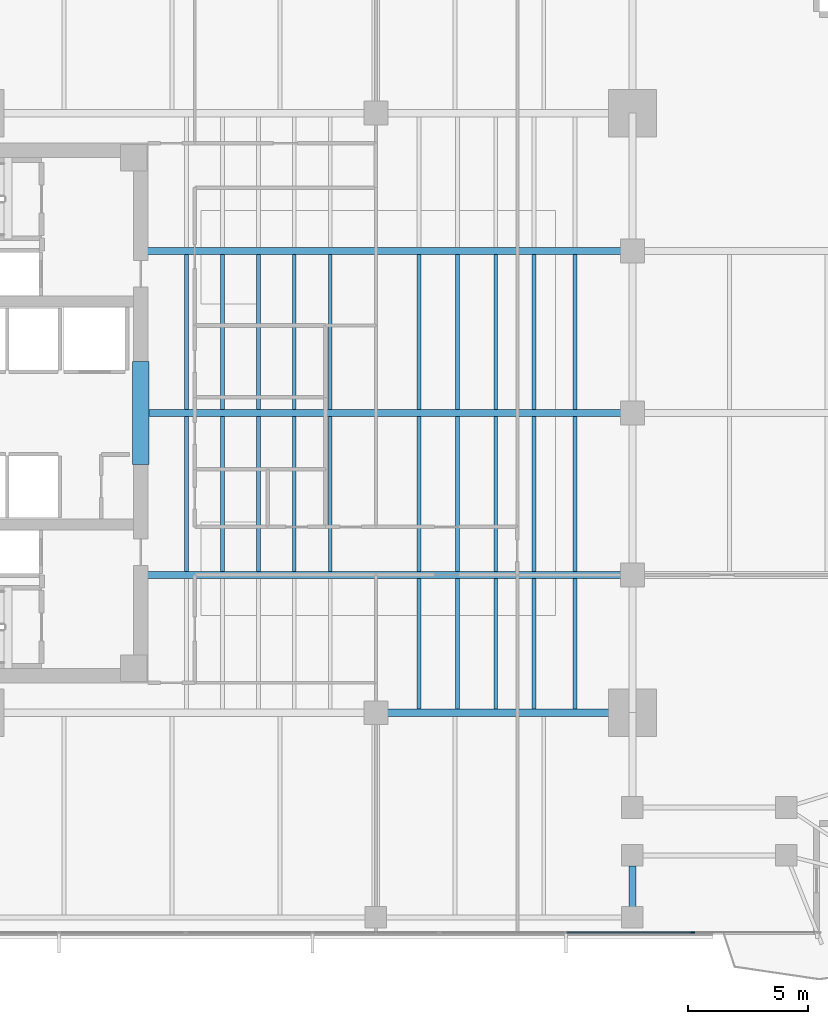
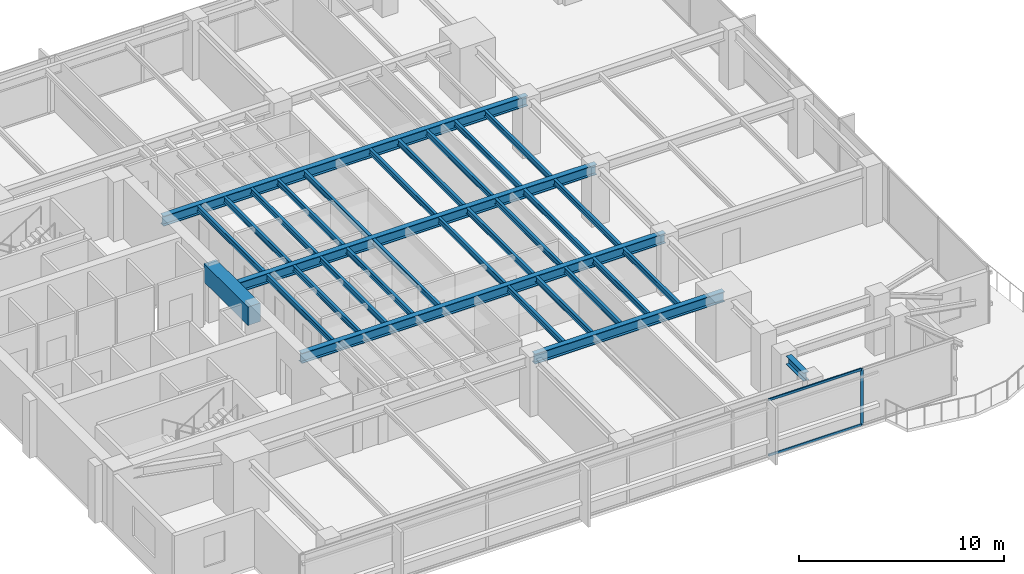
# One storey, part 3 of 14: 31 beams, 3 members, 1 element without a shape of its own.
"""IFC4 building model written with IfcOpenShell, lengths in metres."""

import ifcopenshell
import ifcopenshell.guid

model = None  # the IFC model being written
_history = None  # IfcOwnerHistory: only IFC2X3 demands one
_inside = {}  # id of a spatial element -> (the spatial element, [elements in it])
_under = {}  # id of a project, library or spatial element -> (it, [spatial elements below it])
_declared = {}  # id of a project -> (the project, [libraries it declares])
_typed = {}  # id of a type object -> (the type object, [elements of that type])
_made_of = {}  # id of a material, layer set ... -> (it, [elements and type objects made of it])


def new_model(schema):
    """Start an empty IFC model of exactly this schema.

    Asked for "IFC4X3", IfcOpenShell would pick the latest addendum, in which some entities
    have other attributes; the version numbers below select the first issue.
    IFC2X3 requires an IfcOwnerHistory on every rooted entity: one is made here for all.
    """
    global model, _history
    if schema == "IFC4X3":
        model = ifcopenshell.file(schema_version=(4, 3, 0, 0))
    else:
        model = ifcopenshell.file(schema=schema)
    _inside.clear()
    _under.clear()
    _declared.clear()
    _typed.clear()
    _made_of.clear()
    _history = None
    if model.schema == "IFC2X3":
        org = make("IfcOrganization", Name="unknown")
        user = make(
            "IfcPersonAndOrganization",
            ThePerson=make("IfcPerson", FamilyName="unknown"),
            TheOrganization=org,
        )
        app = make(
            "IfcApplication",
            ApplicationDeveloper=org,
            Version="unknown",
            ApplicationFullName="unknown",
            ApplicationIdentifier="unknown",
        )
        _history = make(
            "IfcOwnerHistory",
            OwningUser=user,
            OwningApplication=app,
            ChangeAction="ADDED",
            CreationDate=0,
        )
    return model


def make(cls, **values):
    """One entity of the class cls with the attributes given. An attribute that is None is left unset."""
    return model.create_entity(
        cls, **{name: value for name, value in values.items() if value is not None}
    )


def rooted(cls, **values):
    """An entity with a GlobalId (a new one), such as an element, a storey or a relation."""
    return make(cls, GlobalId=ifcopenshell.guid.new(), OwnerHistory=_history, **values)


def si_unit(unit_type, name, prefix=None):
    """IfcSIUnit, for example si_unit("LENGTHUNIT", "METRE", prefix="MILLI")."""
    return make("IfcSIUnit", UnitType=unit_type, Prefix=prefix, Name=name)


def assignment(units):
    """IfcUnitAssignment: the units of a project."""
    return None if units is None else make("IfcUnitAssignment", Units=units)


def point(xyz):
    """IfcCartesianPoint."""
    return None if xyz is None else make("IfcCartesianPoint", Coordinates=xyz)


def direction(xyz):
    """IfcDirection."""
    return None if xyz is None else make("IfcDirection", DirectionRatios=xyz)


def frame(location, z_axis=None, x_axis=None):
    """IfcAxis2Placement3D, a coordinate frame: its origin and axes. An axis left out is left unset."""
    return make(
        "IfcAxis2Placement3D",
        Location=point(location),
        Axis=direction(z_axis),
        RefDirection=direction(x_axis),
    )


def frame_2d(location, x_axis=None):
    """IfcAxis2Placement2D, a coordinate frame in the plane: its origin and x axis."""
    return make(
        "IfcAxis2Placement2D", Location=point(location), RefDirection=direction(x_axis)
    )


def origin():
    """The frame at (0, 0, 0) with its axes left unset."""
    return frame((0.0, 0.0, 0.0))


def origin_2d():
    """The frame at (0, 0) in the plane with its x axis left unset."""
    return frame_2d((0.0, 0.0))


def place(relative_to, where):
    """IfcLocalPlacement: puts the frame where relative to a parent placement (None: the world)."""
    return make(
        "IfcLocalPlacement", PlacementRelTo=relative_to, RelativePlacement=where
    )


def context(
    kind, dimensions, precision=None, world=None, true_north=None, identifier=None
):
    """IfcGeometricRepresentationContext, for example the 3D "Model" context."""
    return make(
        "IfcGeometricRepresentationContext",
        ContextIdentifier=identifier,
        ContextType=kind,
        CoordinateSpaceDimension=dimensions,
        Precision=precision,
        WorldCoordinateSystem=world,
        TrueNorth=true_north,
    )


def subcontext(parent, identifier, kind, view, scale=None):
    """IfcGeometricRepresentationSubContext, for example "Body" below "Model"."""
    return make(
        "IfcGeometricRepresentationSubContext",
        ContextIdentifier=identifier,
        ContextType=kind,
        ParentContext=parent,
        TargetScale=scale,
        TargetView=view,
    )


def project(units=None, contexts=None):
    """IfcProject with its units and contexts."""
    return rooted(
        "IfcProject",
        Name="project",
        RepresentationContexts=contexts,
        UnitsInContext=assignment(units),
    )


def spatial(cls, under=None, at=None, **own):
    """A site, building, storey or space (cls), placed at a placement, below another one or the project."""
    s = rooted(cls, ObjectPlacement=at, **own)
    if under is not None:
        _under.setdefault(under.id(), (under, []))[1].append(s)
    return s


def profile(cls, at=None, kind="AREA", **sizes):
    """A parametric profile (cls). Its sizes go by their IFC names, for example OverallWidth=200.0."""
    return make(cls, ProfileType=kind, Position=at, **sizes)


def rectangle(**sizes):
    """IfcRectangleProfileDef."""
    return profile("IfcRectangleProfileDef", **sizes)


def i_section(**sizes):
    """IfcIShapeProfileDef."""
    return profile("IfcIShapeProfileDef", **sizes)


def extrude(swept, where, along, depth):
    """IfcExtrudedAreaSolid: the profile swept, set in the frame where, extruded along a direction by depth."""
    return make(
        "IfcExtrudedAreaSolid",
        SweptArea=swept,
        Position=where,
        ExtrudedDirection=direction(along),
        Depth=depth,
    )


def shape(context_of_items, identifier, shape_type, items):
    """IfcShapeRepresentation: the items that make up one representation, for example the "Body"."""
    return make(
        "IfcShapeRepresentation",
        ContextOfItems=context_of_items,
        RepresentationIdentifier=identifier,
        RepresentationType=shape_type,
        Items=items,
    )


def material(Name=None, Category=None):
    """IfcMaterial."""
    return make("IfcMaterial", Name=Name, Category=Category)


def layer(
    of_material, thickness, ventilated=None, Name=None, Category=None, Priority=None
):
    """IfcMaterialLayer: one layer of a wall or slab, of a material (None: an air gap)."""
    return make(
        "IfcMaterialLayer",
        Material=of_material,
        LayerThickness=thickness,
        IsVentilated=ventilated,
        Name=Name,
        Category=Category,
        Priority=Priority,
    )


def layer_set(layers, Name=None):
    """IfcMaterialLayerSet."""
    return make("IfcMaterialLayerSet", MaterialLayers=layers, LayerSetName=Name)


def material_profile(
    of_material, cross_section, Name=None, Category=None, Priority=None
):
    """IfcMaterialProfile: a cross section and its material."""
    return make(
        "IfcMaterialProfile",
        Name=Name,
        Material=of_material,
        Profile=cross_section,
        Priority=Priority,
        Category=Category,
    )


def profile_set(profiles, Name=None, composite=None):
    """IfcMaterialProfileSet."""
    return make(
        "IfcMaterialProfileSet",
        Name=Name,
        MaterialProfiles=profiles,
        CompositeProfile=composite,
    )


def made_of(thing, what):
    """Note that an element or type object is made of a material, layer set ...; save() writes the relation."""
    if what is not None:
        _made_of.setdefault(what.id(), (what, []))[1].append(thing)
    return thing


def type_object(cls, material=None, **own):
    """A type object (cls), such as IfcWallType, which elements share."""
    return made_of(rooted(cls, **own), material)


def element(
    cls,
    number,
    at=None,
    inside=None,
    cuts=None,
    type_object=None,
    material=None,
    context=None,
    identifier="Body",
    shape_type=None,
    held_by="IfcProductDefinitionShape",
    body=None,
    shapes=None,
    **own,
):
    """One element of the class cls, such as IfcWall. Its Tag is "e" and its number.

    at: its placement. inside: the storey or other place that contains it. cuts: it is an
    opening in that element (IfcRelVoidsElement). A single representation is given by context,
    identifier, shape_type and body (its items); several are given by shapes. held_by: the class
    of the entity that holds the representations. save() writes the other relations.
    """
    e = rooted(cls, Tag="e%d" % number, ObjectPlacement=at, **own)
    if body is not None:
        shapes = [shape(context, identifier, shape_type, body)]
    if shapes is not None:
        e.Representation = make(held_by, Representations=shapes)
    if inside is not None:
        _inside.setdefault(inside.id(), (inside, []))[1].append(e)
    if cuts is not None:
        rooted(
            "IfcRelVoidsElement", RelatingBuildingElement=cuts, RelatedOpeningElement=e
        )
    if type_object is not None:
        _typed.setdefault(type_object.id(), (type_object, []))[1].append(e)
    return made_of(e, material)


def aggregate(whole, parts):
    """IfcRelAggregates: a whole, such as a stair, and the parts it consists of."""
    return rooted("IfcRelAggregates", RelatingObject=whole, RelatedObjects=parts)


def save(model, path):
    """Write the relations noted so far, then the file.

    IfcRelAggregates (storeys below a building ...), IfcRelContainedInSpatialStructure (elements
    in a storey), IfcRelDefinesByType, IfcRelAssociatesMaterial and IfcRelDeclares: one each for
    every whole, place, type object, material and project.
    """
    for whole, parts in _under.values():
        aggregate(whole, parts)
    for where, things in _inside.values():
        rooted(
            "IfcRelContainedInSpatialStructure",
            RelatedElements=things,
            RelatingStructure=where,
        )
    for kind, things in _typed.values():
        rooted("IfcRelDefinesByType", RelatedObjects=things, RelatingType=kind)
    for what, things in _made_of.values():
        rooted("IfcRelAssociatesMaterial", RelatedObjects=things, RelatingMaterial=what)
    for by, libraries in _declared.values():
        rooted("IfcRelDeclares", RelatingContext=by, RelatedDefinitions=libraries)
    model.write(path)


model = new_model("IFC4")

# Units and contexts
model_context = context("Model", 3, precision=1e-05, world=origin(), true_north=direction((0.0, 1.0)))
body_context = subcontext(model_context, "Body", "Model", "MODEL_VIEW")
ifc_project = project(units=[si_unit("LENGTHUNIT", "METRE"), si_unit("AREAUNIT", "SQUARE_METRE"), si_unit("VOLUMEUNIT", "CUBIC_METRE"), si_unit("PLANEANGLEUNIT", "RADIAN"), si_unit("MASSUNIT", "GRAM", prefix="KILO")], contexts=[model_context])

# Site, building, storey
site_placement = place(None, origin())
site = spatial("IfcSite", under=ifc_project, at=site_placement, CompositionType="ELEMENT")
building_placement = place(site_placement, origin())
building = spatial("IfcBuilding", under=site, at=building_placement, Name="Kinhvarn Gate Tower", CompositionType="ELEMENT")
storey_placement = place(building_placement, frame((0.0, 0.0, 144.85009765625)))
storey = spatial("IfcBuildingStorey", under=building, at=storey_placement, Name="L38", CompositionType="ELEMENT", Elevation=144.85009765625)

# Beam
ifc_material_1 = material(Name="Concrete C70/85", Category="concrete")
ifc_material_profile_1 = material_profile(ifc_material_1, rectangle(XDim=0.699951171875, YDim=1.10009765625, at=origin_2d()), Name="RC 700x1100")
ifc_profile_set_1 = profile_set([ifc_material_profile_1], Name="Concrete C70/85")
beam_type_1 = type_object("IfcBeamType", Name="BM-CB-1100", PredefinedType="LINTEL", material=ifc_profile_set_1)
beam_1_placement = place(storey_placement, frame((17.699951171875, 23.10009765625, 2.81982421875), z_axis=(0.0, 1.0, 0.0), x_axis=(-1.0, 0.0, 0.0)))
element("IfcBeam", 1, at=beam_1_placement, inside=storey, type_object=beam_type_1, Name="Core East Portal Coupling Beam L38", PredefinedType="LINTEL", context=body_context, shape_type="SweptSolid", body=[
    extrude(rectangle(XDim=0.699951171875, YDim=1.10009765625, at=origin_2d()), origin(), (0.0, 0.0, 1.0), 4.2998046875),
])

# Curtain wall, members
ifc_material_2 = material(Name="Anodised aluminium AW-6063", Category="aluminium")
ifc_layer = layer(ifc_material_2, 0.179931640625)
ifc_layer_set = layer_set([ifc_layer], Name="Anodised aluminium AW-6063")
curtain_wall_type = type_object("IfcCurtainWallType", Name="CW-SYS-3", PredefinedType="NOTDEFINED", material=ifc_layer_set)
curtain_wall_placement = place(storey_placement, origin())
curtain_wall = element("IfcCurtainWall", 2, at=curtain_wall_placement, inside=storey, type_object=curtain_wall_type, Name="Curtain Wall CW3 (L38)", PredefinedType="NOTDEFINED")
ifc_material_profile_2 = material_profile(ifc_material_2, rectangle(XDim=0.06494140625, YDim=0.159912109375, at=origin_2d()), Name="ALU 65x160")
ifc_profile_set_2 = profile_set([ifc_material_profile_2], Name="Anodised aluminium AW-6063")
member_type_1 = type_object("IfcMemberType", Name="CW-MUL-160", PredefinedType="MULLION", material=ifc_profile_set_2)
member_1_placement = place(storey_placement, frame((40.71435546875, 3.590087890625, 0.0), z_axis=(0.0, 0.0, 1.0), x_axis=(0.0, 1.0, 0.0)))
member_1 = element("IfcMember", 3, at=member_1_placement, type_object=member_type_1, Name="CW3 mullion 7", PredefinedType="MULLION", context=body_context, shape_type="SweptSolid", body=[
    extrude(rectangle(XDim=0.06494140625, YDim=0.159912109375, at=origin_2d()), origin(), (0.0, 0.0, 1.0), 3.369873046875),
])
ifc_material_profile_3 = material_profile(ifc_material_2, rectangle(XDim=0.070068359375, YDim=0.139892578125, at=origin_2d()), Name="ALU 70x140")
ifc_profile_set_3 = profile_set([ifc_material_profile_3], Name="Anodised aluminium AW-6063")
member_type_2 = type_object("IfcMemberType", Name="CW-TRN-140", PredefinedType="USERDEFINED", material=ifc_profile_set_3)
member_2_placement = place(storey_placement, frame((35.461181640625, 3.590087890625, 0.034912109375), z_axis=(1.0, 0.0, 0.0), x_axis=(0.0, 1.0, 0.0)))
member_2 = element("IfcMember", 4, at=member_2_placement, type_object=member_type_2, Name="CW3 transom 6.1", ObjectType="TRANSOM", PredefinedType="USERDEFINED", context=body_context, shape_type="SweptSolid", body=[
    extrude(rectangle(XDim=0.070068359375, YDim=0.139892578125, at=origin_2d()), origin(), (0.0, 0.0, 1.0), 5.220703125),
])
member_3_placement = place(storey_placement, frame((35.461181640625, 3.590087890625, 3.3349609375), z_axis=(1.0, 0.0, 0.0), x_axis=(0.0, 1.0, 0.0)))
member_3 = element("IfcMember", 5, at=member_3_placement, type_object=member_type_2, Name="CW3 transom 6.2", ObjectType="TRANSOM", PredefinedType="USERDEFINED", context=body_context, shape_type="SweptSolid", body=[
    extrude(rectangle(XDim=0.070068359375, YDim=0.139892578125, at=origin_2d()), origin(), (0.0, 0.0, 1.0), 5.220703125),
])
aggregate(curtain_wall, [member_1, member_2, member_3])

# Beams
ifc_material_3 = material(Name="Steel S355", Category="steel")
ifc_material_profile_4 = material_profile(ifc_material_3, i_section(OverallWidth=0.300048828125, OverallDepth=0.5, WebThickness=0.014404296875, FlangeThickness=0.028076171875, at=origin_2d()), Name="HEB 500")
ifc_profile_set_4 = profile_set([ifc_material_profile_4], Name="Steel S355")
beam_type_2 = type_object("IfcBeamType", Name="STL-HEB500", PredefinedType="BEAM", material=ifc_profile_set_4)
beam_2_placement = place(storey_placement, frame((38.199951171875, 4.655029296875, 3.119873046875), z_axis=(0.0, 1.0, 0.0), x_axis=(-1.0, 0.0, 0.0)))
element("IfcBeam", 6, at=beam_2_placement, inside=storey, type_object=beam_type_2, Name="Floor Beam PG-14 (L38 MCE-S-A0)", PredefinedType="BEAM", context=body_context, shape_type="SweptSolid", body=[
    extrude(i_section(OverallWidth=0.300048828125, OverallDepth=0.5, WebThickness=0.014404296875, FlangeThickness=0.028076171875, at=origin_2d()), origin(), (0.0, 0.0, 1.0), 1.7099609375),
])
ifc_material_profile_5 = material_profile(ifc_material_3, i_section(OverallWidth=0.300048828125, OverallDepth=0.60009765625, WebThickness=0.015380859375, FlangeThickness=0.030029296875, at=origin_2d()), Name="HEB 600")
ifc_profile_set_5 = profile_set([ifc_material_profile_5], Name="Steel S355")
beam_type_3 = type_object("IfcBeamType", Name="STL-HEB600", PredefinedType="BEAM", material=ifc_profile_set_5)
beam_3_placement = place(storey_placement, frame((27.5, 12.75, 3.06982421875), z_axis=(1.0, 0.0, 0.0), x_axis=(0.0, 1.0, 0.0)))
element("IfcBeam", 7, at=beam_3_placement, inside=storey, type_object=beam_type_3, Name="Floor Beam PG-16 (L38 MG-S2)", PredefinedType="BEAM", context=body_context, shape_type="SweptSolid", body=[
    extrude(i_section(OverallWidth=0.300048828125, OverallDepth=0.60009765625, WebThickness=0.015380859375, FlangeThickness=0.030029296875, at=origin_2d()), origin(), (0.0, 0.0, 1.0), 10.699951171875),
])
beam_4_placement = place(storey_placement, frame((17.64990234375, 18.5, 3.06982421875), z_axis=(1.0, 0.0, 0.0), x_axis=(0.0, 1.0, 0.0)))
element("IfcBeam", 8, at=beam_4_placement, inside=storey, type_object=beam_type_3, Name="Floor Beam PG-16 (L38 EW1-Y18)", PredefinedType="BEAM", context=body_context, shape_type="SweptSolid", body=[
    extrude(i_section(OverallWidth=0.300048828125, OverallDepth=0.60009765625, WebThickness=0.015380859375, FlangeThickness=0.030029296875, at=origin_2d()), origin(), (0.0, 0.0, 1.0), 20.550048828125),
])
beam_5_placement = place(storey_placement, frame((18.050048828125, 25.25, 3.06982421875), z_axis=(1.0, 0.0, 0.0), x_axis=(0.0, 1.0, 0.0)))
element("IfcBeam", 9, at=beam_5_placement, inside=storey, type_object=beam_type_3, Name="Floor Beam PG-16 (L38 EW1-Y25)", PredefinedType="BEAM", context=body_context, shape_type="SweptSolid", body=[
    extrude(i_section(OverallWidth=0.300048828125, OverallDepth=0.60009765625, WebThickness=0.015380859375, FlangeThickness=0.030029296875, at=origin_2d()), origin(), (0.0, 0.0, 1.0), 20.14990234375),
])
beam_6_placement = place(storey_placement, frame((17.64990234375, 32.0, 3.06982421875), z_axis=(1.0, 0.0, 0.0), x_axis=(0.0, 1.0, 0.0)))
element("IfcBeam", 10, at=beam_6_placement, inside=storey, type_object=beam_type_3, Name="Floor Beam PG-16 (L38 EW1-Y32)", PredefinedType="BEAM", context=body_context, shape_type="SweptSolid", body=[
    extrude(i_section(OverallWidth=0.300048828125, OverallDepth=0.60009765625, WebThickness=0.015380859375, FlangeThickness=0.030029296875, at=origin_2d()), origin(), (0.0, 0.0, 1.0), 20.550048828125),
])
ifc_material_profile_6 = material_profile(ifc_material_3, i_section(OverallWidth=0.159912109375, OverallDepth=0.330078125, WebThickness=0.007568359375, FlangeThickness=0.011474609375, at=origin_2d()), Name="IPE 330")
ifc_profile_set_6 = profile_set([ifc_material_profile_6], Name="Steel S355")
beam_type_4 = type_object("IfcBeamType", Name="STL-IPE330", PredefinedType="JOIST", material=ifc_profile_set_6)
for number, where, z_axis, x_axis, name in (
    (11, (19.60009765625, 18.64990234375, 3.204833984375), (0.0, 1.0, 0.0), (-1.0, 0.0, 0.0), "Floor Joist SB-03 (L38 JC-X196-1)"),
    (12, (19.60009765625, 25.39990234375, 3.204833984375), (0.0, 1.0, 0.0), (-1.0, 0.0, 0.0), "Floor Joist SB-03 (L38 JC-X196-2)"),
    (13, (21.10009765625, 18.64990234375, 3.204833984375), (0.0, 1.0, 0.0), (-1.0, 0.0, 0.0), "Floor Joist SB-03 (L38 JC-X211-1)"),
    (14, (21.10009765625, 25.39990234375, 3.204833984375), (0.0, 1.0, 0.0), (-1.0, 0.0, 0.0), "Floor Joist SB-03 (L38 JC-X211-2)"),
    (15, (22.60009765625, 18.64990234375, 3.204833984375), (0.0, 1.0, 0.0), (-1.0, 0.0, 0.0), "Floor Joist SB-03 (L38 JC-X226-1)"),
    (16, (22.60009765625, 25.39990234375, 3.204833984375), (0.0, 1.0, 0.0), (-1.0, 0.0, 0.0), "Floor Joist SB-03 (L38 JC-X226-2)"),
    (17, (24.10009765625, 18.64990234375, 3.204833984375), (0.0, 1.0, 0.0), (-1.0, 0.0, 0.0), "Floor Joist SB-03 (L38 JC-X241-1)"),
    (18, (24.10009765625, 25.39990234375, 3.204833984375), (0.0, 1.0, 0.0), (-1.0, 0.0, 0.0), "Floor Joist SB-03 (L38 JC-X241-2)"),
    (19, (25.60009765625, 18.64990234375, 3.204833984375), (0.0, 1.0, 0.0), (-1.0, 0.0, 0.0), "Floor Joist SB-03 (L38 JC-X256-1)"),
    (20, (25.60009765625, 25.39990234375, 3.204833984375), (0.0, 1.0, 0.0), (-1.0, 0.0, 0.0), "Floor Joist SB-03 (L38 JC-X256-2)"),
):
    element("IfcBeam", number, at=place(storey_placement, frame(where, z_axis=z_axis, x_axis=x_axis)), inside=storey, type_object=beam_type_4, Name=name, PredefinedType="JOIST", context=body_context, shape_type="SweptSolid", body=[
        extrude(i_section(OverallWidth=0.159912109375, OverallDepth=0.330078125, WebThickness=0.007568359375, FlangeThickness=0.011474609375, at=origin_2d()), origin(), (0.0, 0.0, 1.0), 6.4501953125),
    ])
beam_7_placement = place(storey_placement, frame((29.300048828125, 12.89990234375, 3.204833984375), z_axis=(0.0, 1.0, 0.0), x_axis=(-1.0, 0.0, 0.0)))
element("IfcBeam", 21, at=beam_7_placement, inside=storey, type_object=beam_type_4, Name="Floor Joist SB-03 (L38 JC-X293-0)", PredefinedType="JOIST", context=body_context, shape_type="SweptSolid", body=[
    extrude(i_section(OverallWidth=0.159912109375, OverallDepth=0.330078125, WebThickness=0.007568359375, FlangeThickness=0.011474609375, at=origin_2d()), origin(), (0.0, 0.0, 1.0), 5.4501953125),
])
for number, where, z_axis, x_axis, name in (
    (22, (29.300048828125, 18.64990234375, 3.204833984375), (0.0, 1.0, 0.0), (-1.0, 0.0, 0.0), "Floor Joist SB-03 (L38 JC-X293-1)"),
    (23, (29.300048828125, 25.39990234375, 3.204833984375), (0.0, 1.0, 0.0), (-1.0, 0.0, 0.0), "Floor Joist SB-03 (L38 JC-X293-2)"),
):
    element("IfcBeam", number, at=place(storey_placement, frame(where, z_axis=z_axis, x_axis=x_axis)), inside=storey, type_object=beam_type_4, Name=name, PredefinedType="JOIST", context=body_context, shape_type="SweptSolid", body=[
        extrude(i_section(OverallWidth=0.159912109375, OverallDepth=0.330078125, WebThickness=0.007568359375, FlangeThickness=0.011474609375, at=origin_2d()), origin(), (0.0, 0.0, 1.0), 6.4501953125),
    ])
beam_8_placement = place(storey_placement, frame((30.89990234375, 12.89990234375, 3.204833984375), z_axis=(0.0, 1.0, 0.0), x_axis=(-1.0, 0.0, 0.0)))
element("IfcBeam", 24, at=beam_8_placement, inside=storey, type_object=beam_type_4, Name="Floor Joist SB-03 (L38 JC-X309-0)", PredefinedType="JOIST", context=body_context, shape_type="SweptSolid", body=[
    extrude(i_section(OverallWidth=0.159912109375, OverallDepth=0.330078125, WebThickness=0.007568359375, FlangeThickness=0.011474609375, at=origin_2d()), origin(), (0.0, 0.0, 1.0), 5.4501953125),
])
for number, where, z_axis, x_axis, name in (
    (25, (30.89990234375, 18.64990234375, 3.204833984375), (0.0, 1.0, 0.0), (-1.0, 0.0, 0.0), "Floor Joist SB-03 (L38 JC-X309-1)"),
    (26, (30.89990234375, 25.39990234375, 3.204833984375), (0.0, 1.0, 0.0), (-1.0, 0.0, 0.0), "Floor Joist SB-03 (L38 JC-X309-2)"),
):
    element("IfcBeam", number, at=place(storey_placement, frame(where, z_axis=z_axis, x_axis=x_axis)), inside=storey, type_object=beam_type_4, Name=name, PredefinedType="JOIST", context=body_context, shape_type="SweptSolid", body=[
        extrude(i_section(OverallWidth=0.159912109375, OverallDepth=0.330078125, WebThickness=0.007568359375, FlangeThickness=0.011474609375, at=origin_2d()), origin(), (0.0, 0.0, 1.0), 6.4501953125),
    ])
beam_9_placement = place(storey_placement, frame((32.5, 12.89990234375, 3.204833984375), z_axis=(0.0, 1.0, 0.0), x_axis=(-1.0, 0.0, 0.0)))
element("IfcBeam", 27, at=beam_9_placement, inside=storey, type_object=beam_type_4, Name="Floor Joist SB-03 (L38 JC-X325-0)", PredefinedType="JOIST", context=body_context, shape_type="SweptSolid", body=[
    extrude(i_section(OverallWidth=0.159912109375, OverallDepth=0.330078125, WebThickness=0.007568359375, FlangeThickness=0.011474609375, at=origin_2d()), origin(), (0.0, 0.0, 1.0), 5.4501953125),
])
for number, where, z_axis, x_axis, name in (
    (28, (32.5, 18.64990234375, 3.204833984375), (0.0, 1.0, 0.0), (-1.0, 0.0, 0.0), "Floor Joist SB-03 (L38 JC-X325-1)"),
    (29, (32.5, 25.39990234375, 3.204833984375), (0.0, 1.0, 0.0), (-1.0, 0.0, 0.0), "Floor Joist SB-03 (L38 JC-X325-2)"),
):
    element("IfcBeam", number, at=place(storey_placement, frame(where, z_axis=z_axis, x_axis=x_axis)), inside=storey, type_object=beam_type_4, Name=name, PredefinedType="JOIST", context=body_context, shape_type="SweptSolid", body=[
        extrude(i_section(OverallWidth=0.159912109375, OverallDepth=0.330078125, WebThickness=0.007568359375, FlangeThickness=0.011474609375, at=origin_2d()), origin(), (0.0, 0.0, 1.0), 6.4501953125),
    ])
beam_10_placement = place(storey_placement, frame((34.10009765625, 12.89990234375, 3.204833984375), z_axis=(0.0, 1.0, 0.0), x_axis=(-1.0, 0.0, 0.0)))
element("IfcBeam", 30, at=beam_10_placement, inside=storey, type_object=beam_type_4, Name="Floor Joist SB-03 (L38 JC-X341-0)", PredefinedType="JOIST", context=body_context, shape_type="SweptSolid", body=[
    extrude(i_section(OverallWidth=0.159912109375, OverallDepth=0.330078125, WebThickness=0.007568359375, FlangeThickness=0.011474609375, at=origin_2d()), origin(), (0.0, 0.0, 1.0), 5.4501953125),
])
for number, where, z_axis, x_axis, name in (
    (31, (34.10009765625, 18.64990234375, 3.204833984375), (0.0, 1.0, 0.0), (-1.0, 0.0, 0.0), "Floor Joist SB-03 (L38 JC-X341-1)"),
    (32, (34.10009765625, 25.39990234375, 3.204833984375), (0.0, 1.0, 0.0), (-1.0, 0.0, 0.0), "Floor Joist SB-03 (L38 JC-X341-2)"),
):
    element("IfcBeam", number, at=place(storey_placement, frame(where, z_axis=z_axis, x_axis=x_axis)), inside=storey, type_object=beam_type_4, Name=name, PredefinedType="JOIST", context=body_context, shape_type="SweptSolid", body=[
        extrude(i_section(OverallWidth=0.159912109375, OverallDepth=0.330078125, WebThickness=0.007568359375, FlangeThickness=0.011474609375, at=origin_2d()), origin(), (0.0, 0.0, 1.0), 6.4501953125),
    ])
beam_11_placement = place(storey_placement, frame((35.800048828125, 12.89990234375, 3.204833984375), z_axis=(0.0, 1.0, 0.0), x_axis=(-1.0, 0.0, 0.0)))
element("IfcBeam", 33, at=beam_11_placement, inside=storey, type_object=beam_type_4, Name="Floor Joist SB-03 (L38 JC-X358-0)", PredefinedType="JOIST", context=body_context, shape_type="SweptSolid", body=[
    extrude(i_section(OverallWidth=0.159912109375, OverallDepth=0.330078125, WebThickness=0.007568359375, FlangeThickness=0.011474609375, at=origin_2d()), origin(), (0.0, 0.0, 1.0), 5.4501953125),
])
for number, where, z_axis, x_axis, name in (
    (34, (35.800048828125, 18.64990234375, 3.204833984375), (0.0, 1.0, 0.0), (-1.0, 0.0, 0.0), "Floor Joist SB-03 (L38 JC-X358-1)"),
    (35, (35.800048828125, 25.39990234375, 3.204833984375), (0.0, 1.0, 0.0), (-1.0, 0.0, 0.0), "Floor Joist SB-03 (L38 JC-X358-2)"),
):
    element("IfcBeam", number, at=place(storey_placement, frame(where, z_axis=z_axis, x_axis=x_axis)), inside=storey, type_object=beam_type_4, Name=name, PredefinedType="JOIST", context=body_context, shape_type="SweptSolid", body=[
        extrude(i_section(OverallWidth=0.159912109375, OverallDepth=0.330078125, WebThickness=0.007568359375, FlangeThickness=0.011474609375, at=origin_2d()), origin(), (0.0, 0.0, 1.0), 6.4501953125),
    ])

save(model, "model.ifc")
